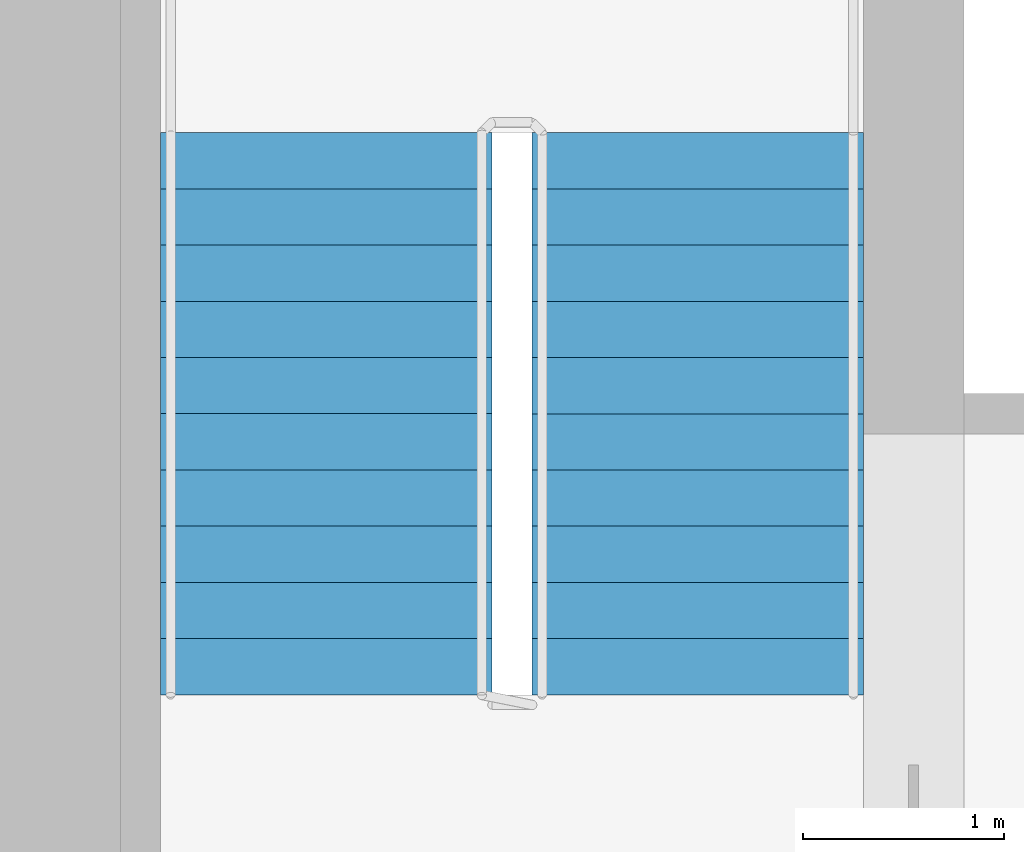
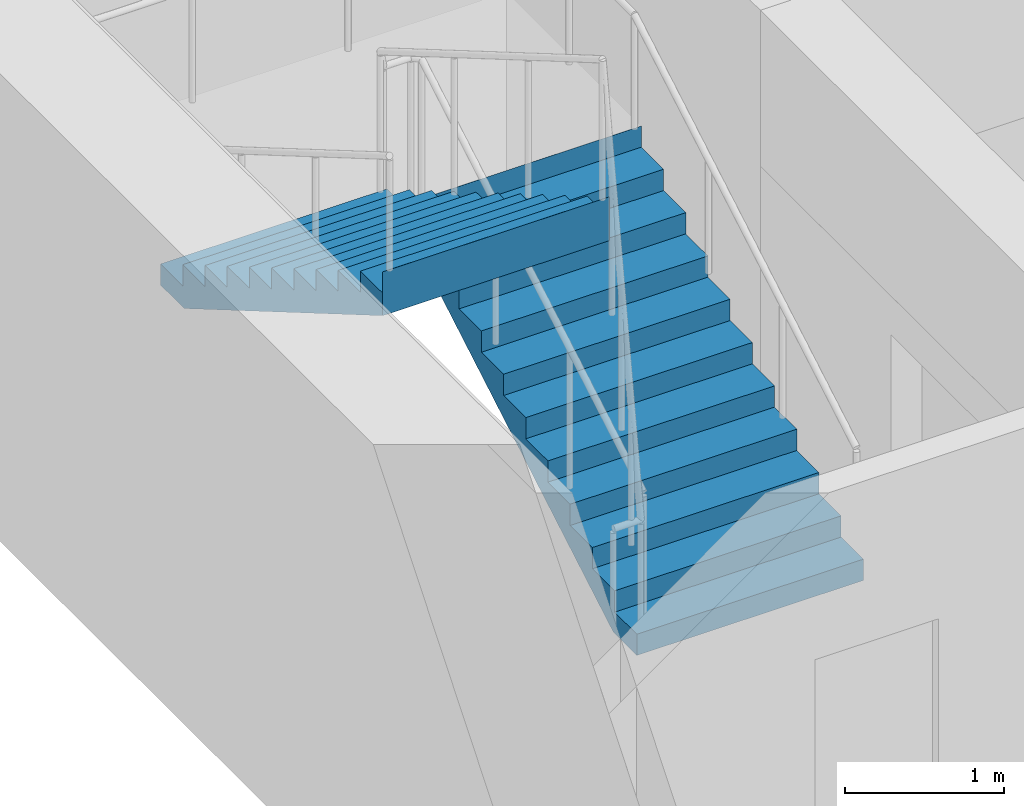
# One storey, part 13 of 14: 2 stair flights, 1 element without a shape of its own.
"""IFC4 building model written with IfcOpenShell, lengths in metres."""

import ifcopenshell
import ifcopenshell.guid

model = None  # the IFC model being written
_history = None  # IfcOwnerHistory: only IFC2X3 demands one
_inside = {}  # id of a spatial element -> (the spatial element, [elements in it])
_under = {}  # id of a project, library or spatial element -> (it, [spatial elements below it])
_declared = {}  # id of a project -> (the project, [libraries it declares])
_typed = {}  # id of a type object -> (the type object, [elements of that type])
_made_of = {}  # id of a material, layer set ... -> (it, [elements and type objects made of it])


def new_model(schema):
    """Start an empty IFC model of exactly this schema.

    Asked for "IFC4X3", IfcOpenShell would pick the latest addendum, in which some entities
    have other attributes; the version numbers below select the first issue.
    IFC2X3 requires an IfcOwnerHistory on every rooted entity: one is made here for all.
    """
    global model, _history
    if schema == "IFC4X3":
        model = ifcopenshell.file(schema_version=(4, 3, 0, 0))
    else:
        model = ifcopenshell.file(schema=schema)
    _inside.clear()
    _under.clear()
    _declared.clear()
    _typed.clear()
    _made_of.clear()
    _history = None
    if model.schema == "IFC2X3":
        org = make("IfcOrganization", Name="unknown")
        user = make(
            "IfcPersonAndOrganization",
            ThePerson=make("IfcPerson", FamilyName="unknown"),
            TheOrganization=org,
        )
        app = make(
            "IfcApplication",
            ApplicationDeveloper=org,
            Version="unknown",
            ApplicationFullName="unknown",
            ApplicationIdentifier="unknown",
        )
        _history = make(
            "IfcOwnerHistory",
            OwningUser=user,
            OwningApplication=app,
            ChangeAction="ADDED",
            CreationDate=0,
        )
    return model


def make(cls, **values):
    """One entity of the class cls with the attributes given. An attribute that is None is left unset."""
    return model.create_entity(
        cls, **{name: value for name, value in values.items() if value is not None}
    )


def rooted(cls, **values):
    """An entity with a GlobalId (a new one), such as an element, a storey or a relation."""
    return make(cls, GlobalId=ifcopenshell.guid.new(), OwnerHistory=_history, **values)


def si_unit(unit_type, name, prefix=None):
    """IfcSIUnit, for example si_unit("LENGTHUNIT", "METRE", prefix="MILLI")."""
    return make("IfcSIUnit", UnitType=unit_type, Prefix=prefix, Name=name)


def assignment(units):
    """IfcUnitAssignment: the units of a project."""
    return None if units is None else make("IfcUnitAssignment", Units=units)


def point(xyz):
    """IfcCartesianPoint."""
    return None if xyz is None else make("IfcCartesianPoint", Coordinates=xyz)


def direction(xyz):
    """IfcDirection."""
    return None if xyz is None else make("IfcDirection", DirectionRatios=xyz)


def frame(location, z_axis=None, x_axis=None):
    """IfcAxis2Placement3D, a coordinate frame: its origin and axes. An axis left out is left unset."""
    return make(
        "IfcAxis2Placement3D",
        Location=point(location),
        Axis=direction(z_axis),
        RefDirection=direction(x_axis),
    )


def origin():
    """The frame at (0, 0, 0) with its axes left unset."""
    return frame((0.0, 0.0, 0.0))


def place(relative_to, where):
    """IfcLocalPlacement: puts the frame where relative to a parent placement (None: the world)."""
    return make(
        "IfcLocalPlacement", PlacementRelTo=relative_to, RelativePlacement=where
    )


def context(
    kind, dimensions, precision=None, world=None, true_north=None, identifier=None
):
    """IfcGeometricRepresentationContext, for example the 3D "Model" context."""
    return make(
        "IfcGeometricRepresentationContext",
        ContextIdentifier=identifier,
        ContextType=kind,
        CoordinateSpaceDimension=dimensions,
        Precision=precision,
        WorldCoordinateSystem=world,
        TrueNorth=true_north,
    )


def subcontext(parent, identifier, kind, view, scale=None):
    """IfcGeometricRepresentationSubContext, for example "Body" below "Model"."""
    return make(
        "IfcGeometricRepresentationSubContext",
        ContextIdentifier=identifier,
        ContextType=kind,
        ParentContext=parent,
        TargetScale=scale,
        TargetView=view,
    )


def project(units=None, contexts=None):
    """IfcProject with its units and contexts."""
    return rooted(
        "IfcProject",
        Name="project",
        RepresentationContexts=contexts,
        UnitsInContext=assignment(units),
    )


def spatial(cls, under=None, at=None, **own):
    """A site, building, storey or space (cls), placed at a placement, below another one or the project."""
    s = rooted(cls, ObjectPlacement=at, **own)
    if under is not None:
        _under.setdefault(under.id(), (under, []))[1].append(s)
    return s


def polyline(points):
    """IfcPolyline through the points."""
    return make("IfcPolyline", Points=[point(p) for p in points])


def outline(outer, holes=None, kind="AREA"):
    """IfcArbitraryClosedProfileDef: a profile drawn as a closed curve; with holes, ...WithVoids."""
    if holes is None:
        return make("IfcArbitraryClosedProfileDef", ProfileType=kind, OuterCurve=outer)
    return make(
        "IfcArbitraryProfileDefWithVoids",
        ProfileType=kind,
        OuterCurve=outer,
        InnerCurves=holes,
    )


def extrude(swept, where, along, depth):
    """IfcExtrudedAreaSolid: the profile swept, set in the frame where, extruded along a direction by depth."""
    return make(
        "IfcExtrudedAreaSolid",
        SweptArea=swept,
        Position=where,
        ExtrudedDirection=direction(along),
        Depth=depth,
    )


def shape(context_of_items, identifier, shape_type, items):
    """IfcShapeRepresentation: the items that make up one representation, for example the "Body"."""
    return make(
        "IfcShapeRepresentation",
        ContextOfItems=context_of_items,
        RepresentationIdentifier=identifier,
        RepresentationType=shape_type,
        Items=items,
    )


def material(Name=None, Category=None):
    """IfcMaterial."""
    return make("IfcMaterial", Name=Name, Category=Category)


def made_of(thing, what):
    """Note that an element or type object is made of a material, layer set ...; save() writes the relation."""
    if what is not None:
        _made_of.setdefault(what.id(), (what, []))[1].append(thing)
    return thing


def type_object(cls, material=None, **own):
    """A type object (cls), such as IfcWallType, which elements share."""
    return made_of(rooted(cls, **own), material)


def element(
    cls,
    number,
    at=None,
    inside=None,
    cuts=None,
    type_object=None,
    material=None,
    context=None,
    identifier="Body",
    shape_type=None,
    held_by="IfcProductDefinitionShape",
    body=None,
    shapes=None,
    **own,
):
    """One element of the class cls, such as IfcWall. Its Tag is "e" and its number.

    at: its placement. inside: the storey or other place that contains it. cuts: it is an
    opening in that element (IfcRelVoidsElement). A single representation is given by context,
    identifier, shape_type and body (its items); several are given by shapes. held_by: the class
    of the entity that holds the representations. save() writes the other relations.
    """
    e = rooted(cls, Tag="e%d" % number, ObjectPlacement=at, **own)
    if body is not None:
        shapes = [shape(context, identifier, shape_type, body)]
    if shapes is not None:
        e.Representation = make(held_by, Representations=shapes)
    if inside is not None:
        _inside.setdefault(inside.id(), (inside, []))[1].append(e)
    if cuts is not None:
        rooted(
            "IfcRelVoidsElement", RelatingBuildingElement=cuts, RelatedOpeningElement=e
        )
    if type_object is not None:
        _typed.setdefault(type_object.id(), (type_object, []))[1].append(e)
    return made_of(e, material)


def aggregate(whole, parts):
    """IfcRelAggregates: a whole, such as a stair, and the parts it consists of."""
    return rooted("IfcRelAggregates", RelatingObject=whole, RelatedObjects=parts)


def save(model, path):
    """Write the relations noted so far, then the file.

    IfcRelAggregates (storeys below a building ...), IfcRelContainedInSpatialStructure (elements
    in a storey), IfcRelDefinesByType, IfcRelAssociatesMaterial and IfcRelDeclares: one each for
    every whole, place, type object, material and project.
    """
    for whole, parts in _under.values():
        aggregate(whole, parts)
    for where, things in _inside.values():
        rooted(
            "IfcRelContainedInSpatialStructure",
            RelatedElements=things,
            RelatingStructure=where,
        )
    for kind, things in _typed.values():
        rooted("IfcRelDefinesByType", RelatedObjects=things, RelatingType=kind)
    for what, things in _made_of.values():
        rooted("IfcRelAssociatesMaterial", RelatedObjects=things, RelatingMaterial=what)
    for by, libraries in _declared.values():
        rooted("IfcRelDeclares", RelatingContext=by, RelatedDefinitions=libraries)
    model.write(path)


model = new_model("IFC4")

# Units and contexts
model_context = context("Model", 3, precision=1e-05, world=origin(), true_north=direction((0.0, 1.0)))
body_context = subcontext(model_context, "Body", "Model", "MODEL_VIEW")
ifc_project = project(units=[si_unit("LENGTHUNIT", "METRE"), si_unit("AREAUNIT", "SQUARE_METRE"), si_unit("VOLUMEUNIT", "CUBIC_METRE"), si_unit("PLANEANGLEUNIT", "RADIAN"), si_unit("MASSUNIT", "GRAM", prefix="KILO")], contexts=[model_context])

# Site, building, storey
site_placement = place(None, origin())
site = spatial("IfcSite", under=ifc_project, at=site_placement, CompositionType="ELEMENT")
building_placement = place(site_placement, origin())
building = spatial("IfcBuilding", under=site, at=building_placement, Name="Tamorin Gate", CompositionType="ELEMENT")
storey_placement = place(building_placement, frame((0.0, 0.0, 141.0)))
storey = spatial("IfcBuildingStorey", under=building, at=storey_placement, Name="L34", CompositionType="ELEMENT", Elevation=141.0)

# Stair, stair flights
ifc_material = material(Name="Concrete C40/50", Category="concrete")
stair_type = type_object("IfcStairType", Name="Exit stair", PredefinedType="HALF_TURN_STAIR", material=ifc_material)
stair_placement = place(storey_placement, origin())
stair = element("IfcStair", 1, at=stair_placement, inside=storey, type_object=stair_type, Name="L34 stair ST2", PredefinedType="HALF_TURN_STAIR")
stair_flight_type = type_object("IfcStairFlightType", Name="Exit stair flight", PredefinedType="STRAIGHT", material=ifc_material)
stair_flight_1_placement = place(storey_placement, frame((33.675048828125, 77.0, 0.0), z_axis=(0.0, 0.0, 1.0), x_axis=(0.0, 1.0, 0.0)))
stair_flight_1 = element("IfcStairFlight", 2, at=stair_flight_1_placement, type_object=stair_flight_type, Name="ST2 flight 1", NumberOfRisers=11, NumberOfTreads=10, PredefinedType="STRAIGHT", RiserHeight=0.163636364, TreadLength=0.28, context=body_context, shape_type="SweptSolid", body=[
    extrude(outline(polyline([(-0.00048828125, 0.0), (-0.00048828125, 0.001708984375), (-0.00048828125, 0.003173828125), (-0.00048828125, 0.0048828125), (-0.00048828125, 0.006591796875), (-0.00048828125, 0.008056640625), (-0.00048828125, 0.009765625), (-0.00048828125, 0.01123046875), (-0.00048828125, 0.012939453125), (-0.00048828125, 0.0146484375), (-0.00048828125, 0.01611328125), (-0.00048828125, 0.017822265625), (-0.00048828125, 0.01953125), (-0.00048828125, 0.02099609375), (-0.00048828125, 0.022705078125), (-0.00048828125, 0.0244140625), (-0.00048828125, 0.02587890625), (-0.00048828125, 0.027587890625), (-0.00048828125, 0.029052734375), (-0.00048828125, 0.03076171875), (-0.00048828125, 0.032470703125), (-0.00048828125, 0.033935546875), (-0.00048828125, 0.03564453125), (-0.00048828125, 0.037353515625), (-0.00048828125, 0.038818359375), (-0.00048828125, 0.04052734375), (-0.00048828125, 0.042236328125), (-0.00048828125, 0.043701171875), (-0.00048828125, 0.04541015625), (-0.00048828125, 0.046875), (-0.00048828125, 0.048583984375), (-0.00048828125, 0.05029296875), (-0.00048828125, 0.0517578125), (-0.00048828125, 0.053466796875), (-0.00048828125, 0.05517578125), (-0.00048828125, 0.056640625), (-0.00048828125, 0.058349609375), (-0.00048828125, 0.06005859375), (-0.00048828125, 0.0615234375), (-0.00048828125, 0.063232421875), (-0.00048828125, 0.064697265625), (-0.00048828125, 0.06640625), (-0.00048828125, 0.068115234375), (-0.00048828125, 0.069580078125), (-0.00048828125, 0.0712890625), (-0.00048828125, 0.072998046875), (-0.00048828125, 0.074462890625), (-0.00048828125, 0.076171875), (-0.00048828125, 0.077880859375), (-0.00048828125, 0.079345703125), (-0.00048828125, 0.0810546875), (-0.00048828125, 0.08251953125), (-0.00048828125, 0.084228515625), (-0.00048828125, 0.0859375), (-0.00048828125, 0.08740234375), (-0.00048828125, 0.089111328125), (-0.00048828125, 0.0908203125), (-0.00048828125, 0.09228515625), (-0.00048828125, 0.093994140625), (-0.00048828125, 0.095703125), (-0.00048828125, 0.09716796875), (-0.00048828125, 0.098876953125), (-0.00048828125, 0.100341796875), (-0.00048828125, 0.10205078125), (-0.00048828125, 0.103759765625), (-0.00048828125, 0.105224609375), (-0.00048828125, 0.10693359375), (-0.00048828125, 0.108642578125), (-0.00048828125, 0.110107421875), (-0.00048828125, 0.11181640625), (-0.00048828125, 0.113525390625), (-0.00048828125, 0.114990234375), (-0.00048828125, 0.11669921875), (-0.00048828125, 0.1181640625), (-0.00048828125, 0.119873046875), (-0.00048828125, 0.12158203125), (-0.00048828125, 0.123046875), (-0.00048828125, 0.124755859375), (-0.00048828125, 0.12646484375), (-0.00048828125, 0.1279296875), (-0.00048828125, 0.129638671875), (-0.00048828125, 0.13134765625), (-0.00048828125, 0.1328125), (-0.00048828125, 0.134521484375), (-0.00048828125, 0.135986328125), (-0.00048828125, 0.1376953125), (-0.00048828125, 0.139404296875), (-0.00048828125, 0.140869140625), (-0.00048828125, 0.142578125), (-0.00048828125, 0.144287109375), (-0.00048828125, 0.145751953125), (-0.00048828125, 0.1474609375), (-0.00048828125, 0.149169921875), (-0.00048828125, 0.150634765625), (-0.00048828125, 0.15234375), (-0.00048828125, 0.15380859375), (-0.00048828125, 0.155517578125), (-0.00048828125, 0.1572265625), (-0.00048828125, 0.15869140625), (-0.00048828125, 0.160400390625), (-0.00048828125, 0.162109375), (-0.00048828125, 0.16357421875), (0.280029296875, 0.16357421875), (0.280029296875, 0.327392578125), (0.56005859375, 0.327392578125), (0.56005859375, 0.490966796875), (0.840087890625, 0.490966796875), (0.840087890625, 0.654541015625), (1.1201171875, 0.654541015625), (1.1201171875, 0.818115234375), (1.39990234375, 0.818115234375), (1.39990234375, 0.98193359375), (1.679931640625, 0.98193359375), (1.679931640625, 1.1455078125), (1.9599609375, 1.1455078125), (1.9599609375, 1.30908203125), (2.239990234375, 1.30908203125), (2.239990234375, 1.47265625), (2.52001953125, 1.47265625), (2.52001953125, 1.636474609375), (2.800048828125, 1.636474609375), (2.800048828125, 1.800048828125), (2.800537109375, 1.800048828125), (2.800537109375, 1.796630859375), (2.800537109375, 1.793212890625), (2.800537109375, 1.7900390625), (2.800537109375, 1.78662109375), (2.800537109375, 1.783203125), (2.800537109375, 1.780029296875), (2.800537109375, 1.776611328125), (2.800537109375, 1.773193359375), (2.800537109375, 1.77001953125), (2.800537109375, 1.7666015625), (2.800537109375, 1.76318359375), (2.800537109375, 1.760009765625), (2.800537109375, 1.756591796875), (2.800537109375, 1.753173828125), (2.800537109375, 1.75), (2.800537109375, 1.74658203125), (2.800537109375, 1.7431640625), (2.800537109375, 1.739990234375), (2.800537109375, 1.736572265625), (2.800537109375, 1.733154296875), (2.800537109375, 1.72998046875), (2.800537109375, 1.7265625), (2.800537109375, 1.72314453125), (2.800537109375, 1.719970703125), (2.800537109375, 1.716552734375), (2.800537109375, 1.713134765625), (2.800537109375, 1.7099609375), (2.800537109375, 1.70654296875), (2.800537109375, 1.703125), (2.800537109375, 1.69970703125), (2.800537109375, 1.696533203125), (2.800537109375, 1.693115234375), (2.800537109375, 1.689697265625), (2.800537109375, 1.6865234375), (2.800537109375, 1.68310546875), (2.800537109375, 1.6796875), (2.800537109375, 1.676513671875), (2.800537109375, 1.673095703125), (2.800537109375, 1.669677734375), (2.800537109375, 1.66650390625), (2.800537109375, 1.6630859375), (2.800537109375, 1.65966796875), (2.800537109375, 1.656494140625), (2.800537109375, 1.653076171875), (2.800537109375, 1.649658203125), (2.800537109375, 1.646484375), (2.800537109375, 1.64306640625), (2.800537109375, 1.6396484375), (2.800537109375, 1.636474609375), (2.800537109375, 1.633056640625), (2.800537109375, 1.629638671875), (2.800537109375, 1.62646484375), (2.800537109375, 1.623046875), (2.800537109375, 1.61962890625), (2.800537109375, 1.616455078125), (2.800537109375, 1.613037109375), (2.800537109375, 1.609619140625), (2.800537109375, 1.6064453125), (2.800537109375, 1.60302734375), (2.800537109375, 1.599609375), (2.800537109375, 1.59619140625), (2.800537109375, 1.593017578125), (2.800537109375, 1.589599609375), (2.800537109375, 1.586181640625), (2.800537109375, 1.5830078125), (2.800537109375, 1.57958984375), (2.800537109375, 1.576171875), (2.800537109375, 1.572998046875), (2.800537109375, 1.569580078125), (2.800537109375, 1.566162109375), (2.800537109375, 1.56298828125), (2.800537109375, 1.5595703125), (2.800537109375, 1.55615234375), (2.800537109375, 1.552978515625), (2.800537109375, 1.549560546875), (2.800537109375, 1.546142578125), (2.800537109375, 1.54296875), (2.800537109375, 1.53955078125), (2.800537109375, 1.5361328125), (2.800537109375, 1.532958984375), (2.800537109375, 1.529541015625), (2.800537109375, 1.526123046875), (2.800537109375, 1.52294921875), (2.800537109375, 1.51953125), (2.800537109375, 1.51611328125), (2.800537109375, 1.512939453125), (2.800537109375, 1.509521484375), (2.800537109375, 1.506103515625), (2.800537109375, 1.5029296875), (2.800537109375, 1.49951171875), (2.800537109375, 1.49609375), (2.800537109375, 1.49267578125), (2.800537109375, 1.489501953125), (2.800537109375, 1.486083984375), (2.800537109375, 1.482666015625), (2.800537109375, 1.4794921875), (2.800537109375, 1.47607421875), (2.800537109375, 1.47265625), (2.800537109375, 1.469482421875), (2.800537109375, 1.466064453125), (2.800537109375, 1.462646484375), (2.800048828125, 1.462646484375), (0.297119140625, 0.0), (-0.00048828125, 0.0)])), frame((0.0, 0.824951171875, 0.0), z_axis=(0.0, -1.0, 0.0), x_axis=(1.0, 0.0, 0.0)), (0.0, 0.0, 1.0), 1.64990234375),
])
stair_flight_2_placement = place(storey_placement, frame((31.824951171875, 79.800048828125, 1.800048828125), z_axis=(0.0, 0.0, 1.0), x_axis=(0.0, -1.0, 0.0)))
stair_flight_2 = element("IfcStairFlight", 3, at=stair_flight_2_placement, type_object=stair_flight_type, Name="ST2 flight 2", NumberOfRisers=11, NumberOfTreads=10, PredefinedType="STRAIGHT", RiserHeight=0.163636364, TreadLength=0.28, context=body_context, shape_type="SweptSolid", body=[
    extrude(outline(polyline([(-0.00048828125, 0.0), (-0.00048828125, 0.001708984375), (-0.00048828125, 0.003173828125), (-0.00048828125, 0.0048828125), (-0.00048828125, 0.006591796875), (-0.00048828125, 0.008056640625), (-0.00048828125, 0.009765625), (-0.00048828125, 0.01123046875), (-0.00048828125, 0.012939453125), (-0.00048828125, 0.0146484375), (-0.00048828125, 0.01611328125), (-0.00048828125, 0.017822265625), (-0.00048828125, 0.01953125), (-0.00048828125, 0.02099609375), (-0.00048828125, 0.022705078125), (-0.00048828125, 0.0244140625), (-0.00048828125, 0.02587890625), (-0.00048828125, 0.027587890625), (-0.00048828125, 0.029052734375), (-0.00048828125, 0.03076171875), (-0.00048828125, 0.032470703125), (-0.00048828125, 0.033935546875), (-0.00048828125, 0.03564453125), (-0.00048828125, 0.037353515625), (-0.00048828125, 0.038818359375), (-0.00048828125, 0.04052734375), (-0.00048828125, 0.042236328125), (-0.00048828125, 0.043701171875), (-0.00048828125, 0.04541015625), (-0.00048828125, 0.046875), (-0.00048828125, 0.048583984375), (-0.00048828125, 0.05029296875), (-0.00048828125, 0.0517578125), (-0.00048828125, 0.053466796875), (-0.00048828125, 0.05517578125), (-0.00048828125, 0.056640625), (-0.00048828125, 0.058349609375), (-0.00048828125, 0.06005859375), (-0.00048828125, 0.0615234375), (-0.00048828125, 0.063232421875), (-0.00048828125, 0.064697265625), (-0.00048828125, 0.06640625), (-0.00048828125, 0.068115234375), (-0.00048828125, 0.069580078125), (-0.00048828125, 0.0712890625), (-0.00048828125, 0.072998046875), (-0.00048828125, 0.074462890625), (-0.00048828125, 0.076171875), (-0.00048828125, 0.077880859375), (-0.00048828125, 0.079345703125), (-0.00048828125, 0.0810546875), (-0.00048828125, 0.08251953125), (-0.00048828125, 0.084228515625), (-0.00048828125, 0.0859375), (-0.00048828125, 0.08740234375), (-0.00048828125, 0.089111328125), (-0.00048828125, 0.0908203125), (-0.00048828125, 0.09228515625), (-0.00048828125, 0.093994140625), (-0.00048828125, 0.095703125), (-0.00048828125, 0.09716796875), (-0.00048828125, 0.098876953125), (-0.00048828125, 0.100341796875), (-0.00048828125, 0.10205078125), (-0.00048828125, 0.103759765625), (-0.00048828125, 0.105224609375), (-0.00048828125, 0.10693359375), (-0.00048828125, 0.108642578125), (-0.00048828125, 0.110107421875), (-0.00048828125, 0.11181640625), (-0.00048828125, 0.113525390625), (-0.00048828125, 0.114990234375), (-0.00048828125, 0.11669921875), (-0.00048828125, 0.1181640625), (-0.00048828125, 0.119873046875), (-0.00048828125, 0.12158203125), (-0.00048828125, 0.123046875), (-0.00048828125, 0.124755859375), (-0.00048828125, 0.12646484375), (-0.00048828125, 0.1279296875), (-0.00048828125, 0.129638671875), (-0.00048828125, 0.13134765625), (-0.00048828125, 0.1328125), (-0.00048828125, 0.134521484375), (-0.00048828125, 0.135986328125), (-0.00048828125, 0.1376953125), (-0.00048828125, 0.139404296875), (-0.00048828125, 0.140869140625), (-0.00048828125, 0.142578125), (-0.00048828125, 0.144287109375), (-0.00048828125, 0.145751953125), (-0.00048828125, 0.1474609375), (-0.00048828125, 0.149169921875), (-0.00048828125, 0.150634765625), (-0.00048828125, 0.15234375), (-0.00048828125, 0.15380859375), (-0.00048828125, 0.155517578125), (-0.00048828125, 0.1572265625), (-0.00048828125, 0.15869140625), (-0.00048828125, 0.160400390625), (-0.00048828125, 0.162109375), (-0.00048828125, 0.16357421875), (0.280029296875, 0.16357421875), (0.280029296875, 0.327392578125), (0.56005859375, 0.327392578125), (0.56005859375, 0.490966796875), (0.840087890625, 0.490966796875), (0.840087890625, 0.654541015625), (1.1201171875, 0.654541015625), (1.1201171875, 0.818115234375), (1.39990234375, 0.818115234375), (1.39990234375, 0.98193359375), (1.679931640625, 0.98193359375), (1.679931640625, 1.1455078125), (1.9599609375, 1.1455078125), (1.9599609375, 1.30908203125), (2.239990234375, 1.30908203125), (2.239990234375, 1.47265625), (2.52001953125, 1.47265625), (2.52001953125, 1.636474609375), (2.800048828125, 1.636474609375), (2.800048828125, 1.800048828125), (2.800537109375, 1.800048828125), (2.800537109375, 1.796630859375), (2.800537109375, 1.793212890625), (2.800537109375, 1.7900390625), (2.800537109375, 1.78662109375), (2.800537109375, 1.783203125), (2.800537109375, 1.780029296875), (2.800537109375, 1.776611328125), (2.800537109375, 1.773193359375), (2.800537109375, 1.77001953125), (2.800537109375, 1.7666015625), (2.800537109375, 1.76318359375), (2.800537109375, 1.760009765625), (2.800537109375, 1.756591796875), (2.800537109375, 1.753173828125), (2.800537109375, 1.75), (2.800537109375, 1.74658203125), (2.800537109375, 1.7431640625), (2.800537109375, 1.739990234375), (2.800537109375, 1.736572265625), (2.800537109375, 1.733154296875), (2.800537109375, 1.72998046875), (2.800537109375, 1.7265625), (2.800537109375, 1.72314453125), (2.800537109375, 1.719970703125), (2.800537109375, 1.716552734375), (2.800537109375, 1.713134765625), (2.800537109375, 1.7099609375), (2.800537109375, 1.70654296875), (2.800537109375, 1.703125), (2.800537109375, 1.69970703125), (2.800537109375, 1.696533203125), (2.800537109375, 1.693115234375), (2.800537109375, 1.689697265625), (2.800537109375, 1.6865234375), (2.800537109375, 1.68310546875), (2.800537109375, 1.6796875), (2.800537109375, 1.676513671875), (2.800537109375, 1.673095703125), (2.800537109375, 1.669677734375), (2.800537109375, 1.66650390625), (2.800537109375, 1.6630859375), (2.800537109375, 1.65966796875), (2.800537109375, 1.656494140625), (2.800537109375, 1.653076171875), (2.800537109375, 1.649658203125), (2.800537109375, 1.646484375), (2.800537109375, 1.64306640625), (2.800537109375, 1.6396484375), (2.800537109375, 1.636474609375), (2.800537109375, 1.633056640625), (2.800537109375, 1.629638671875), (2.800537109375, 1.62646484375), (2.800537109375, 1.623046875), (2.800537109375, 1.61962890625), (2.800537109375, 1.616455078125), (2.800537109375, 1.613037109375), (2.800537109375, 1.609619140625), (2.800537109375, 1.6064453125), (2.800537109375, 1.60302734375), (2.800537109375, 1.599609375), (2.800537109375, 1.59619140625), (2.800537109375, 1.593017578125), (2.800537109375, 1.589599609375), (2.800537109375, 1.586181640625), (2.800537109375, 1.5830078125), (2.800537109375, 1.57958984375), (2.800537109375, 1.576171875), (2.800537109375, 1.572998046875), (2.800537109375, 1.569580078125), (2.800537109375, 1.566162109375), (2.800537109375, 1.56298828125), (2.800537109375, 1.5595703125), (2.800537109375, 1.55615234375), (2.800537109375, 1.552978515625), (2.800537109375, 1.549560546875), (2.800537109375, 1.546142578125), (2.800537109375, 1.54296875), (2.800537109375, 1.53955078125), (2.800537109375, 1.5361328125), (2.800537109375, 1.532958984375), (2.800537109375, 1.529541015625), (2.800537109375, 1.526123046875), (2.800537109375, 1.52294921875), (2.800537109375, 1.51953125), (2.800537109375, 1.51611328125), (2.800537109375, 1.512939453125), (2.800537109375, 1.509521484375), (2.800537109375, 1.506103515625), (2.800537109375, 1.5029296875), (2.800537109375, 1.49951171875), (2.800537109375, 1.49609375), (2.800537109375, 1.49267578125), (2.800537109375, 1.489501953125), (2.800537109375, 1.486083984375), (2.800537109375, 1.482666015625), (2.800537109375, 1.4794921875), (2.800537109375, 1.47607421875), (2.800537109375, 1.47265625), (2.800537109375, 1.469482421875), (2.800537109375, 1.466064453125), (2.800537109375, 1.462646484375), (2.800048828125, 1.462646484375), (0.297119140625, 0.0), (-0.00048828125, 0.0)])), frame((0.0, 0.824951171875, 0.0), z_axis=(0.0, -1.0, 0.0), x_axis=(1.0, 0.0, 0.0)), (0.0, 0.0, 1.0), 1.64990234375),
])
aggregate(stair, [stair_flight_1, stair_flight_2])

save(model, "model.ifc")
